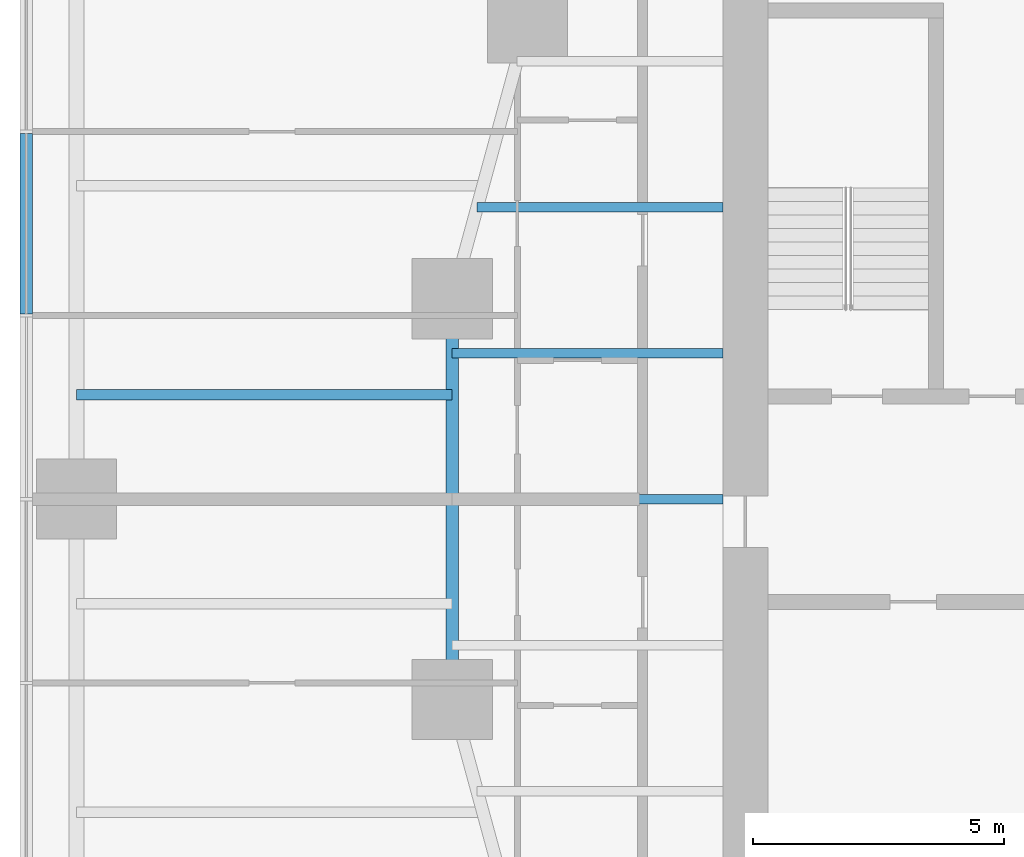
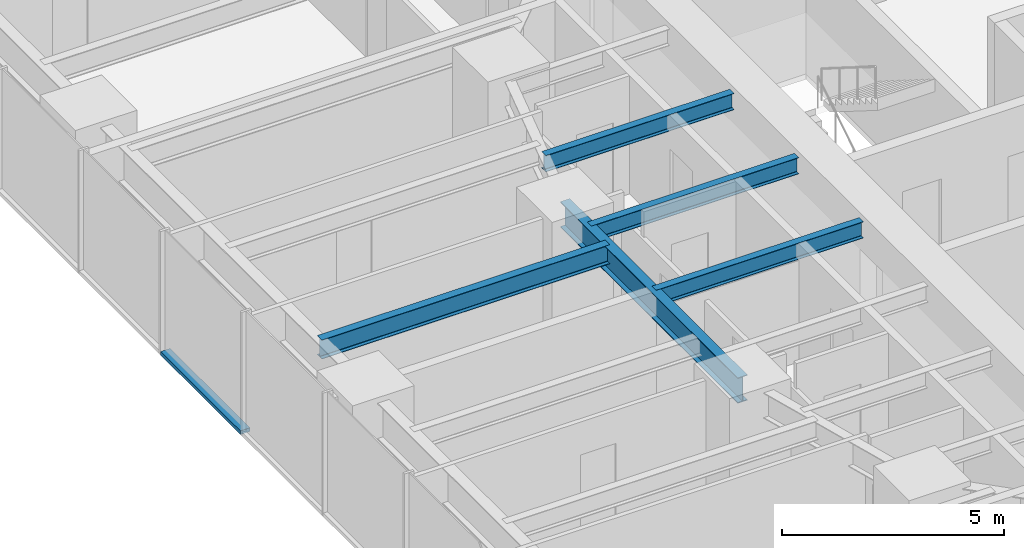
# One storey, part 3 of 14: 5 beams, 1 member, 1 element without a shape of its own.
"""IFC4 building model written with IfcOpenShell, lengths in metres."""

import ifcopenshell
import ifcopenshell.guid

model = None  # the IFC model being written
_history = None  # IfcOwnerHistory: only IFC2X3 demands one
_inside = {}  # id of a spatial element -> (the spatial element, [elements in it])
_under = {}  # id of a project, library or spatial element -> (it, [spatial elements below it])
_declared = {}  # id of a project -> (the project, [libraries it declares])
_typed = {}  # id of a type object -> (the type object, [elements of that type])
_made_of = {}  # id of a material, layer set ... -> (it, [elements and type objects made of it])


def new_model(schema):
    """Start an empty IFC model of exactly this schema.

    Asked for "IFC4X3", IfcOpenShell would pick the latest addendum, in which some entities
    have other attributes; the version numbers below select the first issue.
    IFC2X3 requires an IfcOwnerHistory on every rooted entity: one is made here for all.
    """
    global model, _history
    if schema == "IFC4X3":
        model = ifcopenshell.file(schema_version=(4, 3, 0, 0))
    else:
        model = ifcopenshell.file(schema=schema)
    _inside.clear()
    _under.clear()
    _declared.clear()
    _typed.clear()
    _made_of.clear()
    _history = None
    if model.schema == "IFC2X3":
        org = make("IfcOrganization", Name="unknown")
        user = make(
            "IfcPersonAndOrganization",
            ThePerson=make("IfcPerson", FamilyName="unknown"),
            TheOrganization=org,
        )
        app = make(
            "IfcApplication",
            ApplicationDeveloper=org,
            Version="unknown",
            ApplicationFullName="unknown",
            ApplicationIdentifier="unknown",
        )
        _history = make(
            "IfcOwnerHistory",
            OwningUser=user,
            OwningApplication=app,
            ChangeAction="ADDED",
            CreationDate=0,
        )
    return model


def make(cls, **values):
    """One entity of the class cls with the attributes given. An attribute that is None is left unset."""
    return model.create_entity(
        cls, **{name: value for name, value in values.items() if value is not None}
    )


def rooted(cls, **values):
    """An entity with a GlobalId (a new one), such as an element, a storey or a relation."""
    return make(cls, GlobalId=ifcopenshell.guid.new(), OwnerHistory=_history, **values)


def si_unit(unit_type, name, prefix=None):
    """IfcSIUnit, for example si_unit("LENGTHUNIT", "METRE", prefix="MILLI")."""
    return make("IfcSIUnit", UnitType=unit_type, Prefix=prefix, Name=name)


def assignment(units):
    """IfcUnitAssignment: the units of a project."""
    return None if units is None else make("IfcUnitAssignment", Units=units)


def point(xyz):
    """IfcCartesianPoint."""
    return None if xyz is None else make("IfcCartesianPoint", Coordinates=xyz)


def direction(xyz):
    """IfcDirection."""
    return None if xyz is None else make("IfcDirection", DirectionRatios=xyz)


def frame(location, z_axis=None, x_axis=None):
    """IfcAxis2Placement3D, a coordinate frame: its origin and axes. An axis left out is left unset."""
    return make(
        "IfcAxis2Placement3D",
        Location=point(location),
        Axis=direction(z_axis),
        RefDirection=direction(x_axis),
    )


def frame_2d(location, x_axis=None):
    """IfcAxis2Placement2D, a coordinate frame in the plane: its origin and x axis."""
    return make(
        "IfcAxis2Placement2D", Location=point(location), RefDirection=direction(x_axis)
    )


def origin():
    """The frame at (0, 0, 0) with its axes left unset."""
    return frame((0.0, 0.0, 0.0))


def origin_2d():
    """The frame at (0, 0) in the plane with its x axis left unset."""
    return frame_2d((0.0, 0.0))


def place(relative_to, where):
    """IfcLocalPlacement: puts the frame where relative to a parent placement (None: the world)."""
    return make(
        "IfcLocalPlacement", PlacementRelTo=relative_to, RelativePlacement=where
    )


def context(
    kind, dimensions, precision=None, world=None, true_north=None, identifier=None
):
    """IfcGeometricRepresentationContext, for example the 3D "Model" context."""
    return make(
        "IfcGeometricRepresentationContext",
        ContextIdentifier=identifier,
        ContextType=kind,
        CoordinateSpaceDimension=dimensions,
        Precision=precision,
        WorldCoordinateSystem=world,
        TrueNorth=true_north,
    )


def subcontext(parent, identifier, kind, view, scale=None):
    """IfcGeometricRepresentationSubContext, for example "Body" below "Model"."""
    return make(
        "IfcGeometricRepresentationSubContext",
        ContextIdentifier=identifier,
        ContextType=kind,
        ParentContext=parent,
        TargetScale=scale,
        TargetView=view,
    )


def project(units=None, contexts=None):
    """IfcProject with its units and contexts."""
    return rooted(
        "IfcProject",
        Name="project",
        RepresentationContexts=contexts,
        UnitsInContext=assignment(units),
    )


def spatial(cls, under=None, at=None, **own):
    """A site, building, storey or space (cls), placed at a placement, below another one or the project."""
    s = rooted(cls, ObjectPlacement=at, **own)
    if under is not None:
        _under.setdefault(under.id(), (under, []))[1].append(s)
    return s


def profile(cls, at=None, kind="AREA", **sizes):
    """A parametric profile (cls). Its sizes go by their IFC names, for example OverallWidth=200.0."""
    return make(cls, ProfileType=kind, Position=at, **sizes)


def rectangle(**sizes):
    """IfcRectangleProfileDef."""
    return profile("IfcRectangleProfileDef", **sizes)


def i_section(**sizes):
    """IfcIShapeProfileDef."""
    return profile("IfcIShapeProfileDef", **sizes)


def extrude(swept, where, along, depth):
    """IfcExtrudedAreaSolid: the profile swept, set in the frame where, extruded along a direction by depth."""
    return make(
        "IfcExtrudedAreaSolid",
        SweptArea=swept,
        Position=where,
        ExtrudedDirection=direction(along),
        Depth=depth,
    )


def shape(context_of_items, identifier, shape_type, items):
    """IfcShapeRepresentation: the items that make up one representation, for example the "Body"."""
    return make(
        "IfcShapeRepresentation",
        ContextOfItems=context_of_items,
        RepresentationIdentifier=identifier,
        RepresentationType=shape_type,
        Items=items,
    )


def material(Name=None, Category=None):
    """IfcMaterial."""
    return make("IfcMaterial", Name=Name, Category=Category)


def material_profile(
    of_material, cross_section, Name=None, Category=None, Priority=None
):
    """IfcMaterialProfile: a cross section and its material."""
    return make(
        "IfcMaterialProfile",
        Name=Name,
        Material=of_material,
        Profile=cross_section,
        Priority=Priority,
        Category=Category,
    )


def profile_set(profiles, Name=None, composite=None):
    """IfcMaterialProfileSet."""
    return make(
        "IfcMaterialProfileSet",
        Name=Name,
        MaterialProfiles=profiles,
        CompositeProfile=composite,
    )


def made_of(thing, what):
    """Note that an element or type object is made of a material, layer set ...; save() writes the relation."""
    if what is not None:
        _made_of.setdefault(what.id(), (what, []))[1].append(thing)
    return thing


def type_object(cls, material=None, **own):
    """A type object (cls), such as IfcWallType, which elements share."""
    return made_of(rooted(cls, **own), material)


def element(
    cls,
    number,
    at=None,
    inside=None,
    cuts=None,
    type_object=None,
    material=None,
    context=None,
    identifier="Body",
    shape_type=None,
    held_by="IfcProductDefinitionShape",
    body=None,
    shapes=None,
    **own,
):
    """One element of the class cls, such as IfcWall. Its Tag is "e" and its number.

    at: its placement. inside: the storey or other place that contains it. cuts: it is an
    opening in that element (IfcRelVoidsElement). A single representation is given by context,
    identifier, shape_type and body (its items); several are given by shapes. held_by: the class
    of the entity that holds the representations. save() writes the other relations.
    """
    e = rooted(cls, Tag="e%d" % number, ObjectPlacement=at, **own)
    if body is not None:
        shapes = [shape(context, identifier, shape_type, body)]
    if shapes is not None:
        e.Representation = make(held_by, Representations=shapes)
    if inside is not None:
        _inside.setdefault(inside.id(), (inside, []))[1].append(e)
    if cuts is not None:
        rooted(
            "IfcRelVoidsElement", RelatingBuildingElement=cuts, RelatedOpeningElement=e
        )
    if type_object is not None:
        _typed.setdefault(type_object.id(), (type_object, []))[1].append(e)
    return made_of(e, material)


def aggregate(whole, parts):
    """IfcRelAggregates: a whole, such as a stair, and the parts it consists of."""
    return rooted("IfcRelAggregates", RelatingObject=whole, RelatedObjects=parts)


def save(model, path):
    """Write the relations noted so far, then the file.

    IfcRelAggregates (storeys below a building ...), IfcRelContainedInSpatialStructure (elements
    in a storey), IfcRelDefinesByType, IfcRelAssociatesMaterial and IfcRelDeclares: one each for
    every whole, place, type object, material and project.
    """
    for whole, parts in _under.values():
        aggregate(whole, parts)
    for where, things in _inside.values():
        rooted(
            "IfcRelContainedInSpatialStructure",
            RelatedElements=things,
            RelatingStructure=where,
        )
    for kind, things in _typed.values():
        rooted("IfcRelDefinesByType", RelatedObjects=things, RelatingType=kind)
    for what, things in _made_of.values():
        rooted("IfcRelAssociatesMaterial", RelatedObjects=things, RelatingMaterial=what)
    for by, libraries in _declared.values():
        rooted("IfcRelDeclares", RelatingContext=by, RelatedDefinitions=libraries)
    model.write(path)


model = new_model("IFC4")

# Units and contexts
model_context = context("Model", 3, precision=1e-05, world=origin(), true_north=direction((0.0, 1.0)))
body_context = subcontext(model_context, "Body", "Model", "MODEL_VIEW")
ifc_project = project(units=[si_unit("LENGTHUNIT", "METRE"), si_unit("AREAUNIT", "SQUARE_METRE"), si_unit("VOLUMEUNIT", "CUBIC_METRE"), si_unit("PLANEANGLEUNIT", "RADIAN"), si_unit("MASSUNIT", "GRAM", prefix="KILO")], contexts=[model_context])

# Site, building, storey
site_placement = place(None, origin())
site = spatial("IfcSite", under=ifc_project, at=site_placement, CompositionType="ELEMENT")
building_placement = place(site_placement, origin())
building = spatial("IfcBuilding", under=site, at=building_placement, Name="Torsade Residences", CompositionType="ELEMENT")
storey_placement = place(building_placement, frame((0.0, 0.0, 32.0)))
storey = spatial("IfcBuildingStorey", under=building, at=storey_placement, Name="L08", CompositionType="ELEMENT", Elevation=32.0)

# Curtain wall, member
ifc_material_1 = material(Name="Aluminium and glass", Category="aluminium")
curtain_wall_type = type_object("IfcCurtainWallType", Name="FRITTED GLASS CURTAIN WALL LOW ZONE", PredefinedType="NOTDEFINED", material=ifc_material_1)
curtain_wall_placement = place(storey_placement, origin())
curtain_wall = element("IfcCurtainWall", 1, at=curtain_wall_placement, inside=storey, type_object=curtain_wall_type, Name="Curtain wall L08 face 10", PredefinedType="NOTDEFINED")
ifc_material_2 = material(Name="Aluminium transom", Category="aluminium")
ifc_material_profile_1 = material_profile(ifc_material_2, rectangle(XDim=0.25, YDim=0.10009765625, at=origin_2d()), Name="CURTAIN WALL TRANSOM 250x100")
ifc_profile_set_1 = profile_set([ifc_material_profile_1], Name="Aluminium transom")
member_type = type_object("IfcMemberType", Name="CURTAIN WALL TRANSOM 250x100", PredefinedType="USERDEFINED", material=ifc_profile_set_1)
member_placement = place(storey_placement, frame((14.0, 37.30078125, 0.050048828125), z_axis=(0.0, -1.0, 0.0), x_axis=(1.0, 0.0, 0.0)))
member = element("IfcMember", 2, at=member_placement, type_object=member_type, Name="Transom 5.1", ObjectType="TRANSOM", PredefinedType="USERDEFINED", context=body_context, shape_type="SweptSolid", body=[
    extrude(rectangle(XDim=0.25, YDim=0.10009765625, at=origin_2d()), origin(), (0.0, 0.0, 1.0), 3.6015625),
])
aggregate(curtain_wall, [member])

# Beams
ifc_material_3 = material(Name="Steel grade 300", Category="steel")
ifc_material_profile_2 = material_profile(ifc_material_3, i_section(OverallWidth=0.18994140625, OverallDepth=0.4541015625, WebThickness=0.008544921875, FlangeThickness=0.0126953125, FilletRadius=0.011474609375, at=origin_2d()), Name="460UB67.1")
ifc_profile_set_2 = profile_set([ifc_material_profile_2], Name="Steel grade 300")
beam_type_1 = type_object("IfcBeamType", Name="INNER FLOOR BEAM 460UB67.1", PredefinedType="JOIST", material=ifc_profile_set_2)
beam_1_placement = place(storey_placement, frame((27.89990234375, 35.824951171875, 3.02294921875), z_axis=(-1.0, 0.0, 0.0), x_axis=(0.0, -1.0, 0.0)))
element("IfcBeam", 3, at=beam_1_placement, inside=storey, type_object=beam_type_1, Name="Inner floor beam IW02 L09", PredefinedType="JOIST", context=body_context, shape_type="SweptSolid", body=[
    extrude(i_section(OverallWidth=0.18994140625, OverallDepth=0.4541015625, WebThickness=0.008544921875, FlangeThickness=0.0126953125, FilletRadius=0.011474609375, at=origin_2d()), origin(), (0.0, 0.0, 1.0), 4.902099609375),
])
for number, where, z_axis, x_axis, name in (
    (4, (27.89990234375, 32.91259765625, 3.02294921875), (-1.0, 0.0, 0.0), (0.0, -1.0, 0.0), "Inner floor beam IW03 L09"),
    (5, (27.89990234375, 30.0, 3.02294921875), (-1.0, 0.0, 0.0), (0.0, -1.0, 0.0), "Inner floor beam IW04 L09"),
):
    element("IfcBeam", number, at=place(storey_placement, frame(where, z_axis=z_axis, x_axis=x_axis)), inside=storey, type_object=beam_type_1, Name=name, PredefinedType="JOIST", context=body_context, shape_type="SweptSolid", body=[
        extrude(i_section(OverallWidth=0.18994140625, OverallDepth=0.4541015625, WebThickness=0.008544921875, FlangeThickness=0.0126953125, FilletRadius=0.011474609375, at=origin_2d()), origin(), (0.0, 0.0, 1.0), 5.39990234375),
    ])
ifc_material_4 = material(Name="Steel grade 300", Category="steel")
ifc_material_profile_3 = material_profile(ifc_material_4, i_section(OverallWidth=0.25, OverallDepth=0.699951171875, WebThickness=0.010009765625, FlangeThickness=0.02001953125, at=origin_2d()), Name="700WB130")
ifc_profile_set_3 = profile_set([ifc_material_profile_3], Name="Steel grade 300")
beam_type_2 = type_object("IfcBeamType", Name="RING GIRDER 700WB130", PredefinedType="BEAM", material=ifc_profile_set_3)
beam_2_placement = place(storey_placement, frame((22.5, 34.0, 2.89990234375), z_axis=(0.0, -1.0, 0.0), x_axis=(1.0, 0.0, 0.0)))
element("IfcBeam", 6, at=beam_2_placement, inside=storey, type_object=beam_type_2, Name="Ring girder IR09 L09", PredefinedType="BEAM", context=body_context, shape_type="SweptSolid", body=[
    extrude(i_section(OverallWidth=0.25, OverallDepth=0.699951171875, WebThickness=0.010009765625, FlangeThickness=0.02001953125, at=origin_2d()), origin(), (0.0, 0.0, 1.0), 8.0),
])
ifc_material_5 = material(Name="Steel grade 300", Category="steel")
ifc_material_profile_4 = material_profile(ifc_material_5, i_section(OverallWidth=0.208984375, OverallDepth=0.528076171875, WebThickness=0.009521484375, FlangeThickness=0.01318359375, FilletRadius=0.013916015625, at=origin_2d()), Name="530UB82.0")
ifc_profile_set_4 = profile_set([ifc_material_profile_4], Name="Steel grade 300")
beam_type_3 = type_object("IfcBeamType", Name="SECONDARY BEAM 530UB82.0", PredefinedType="JOIST", material=ifc_profile_set_4)
beam_3_placement = place(storey_placement, frame((15.0, 32.083251953125, 2.986083984375), z_axis=(1.0, 0.0, 0.0), x_axis=(0.0, 1.0, 0.0)))
element("IfcBeam", 7, at=beam_3_placement, inside=storey, type_object=beam_type_3, Name="Floor beam FW06 L09", PredefinedType="JOIST", context=body_context, shape_type="SweptSolid", body=[
    extrude(i_section(OverallWidth=0.208984375, OverallDepth=0.528076171875, WebThickness=0.009521484375, FlangeThickness=0.01318359375, FilletRadius=0.013916015625, at=origin_2d()), origin(), (0.0, 0.0, 1.0), 7.5),
])

save(model, "model.ifc")
